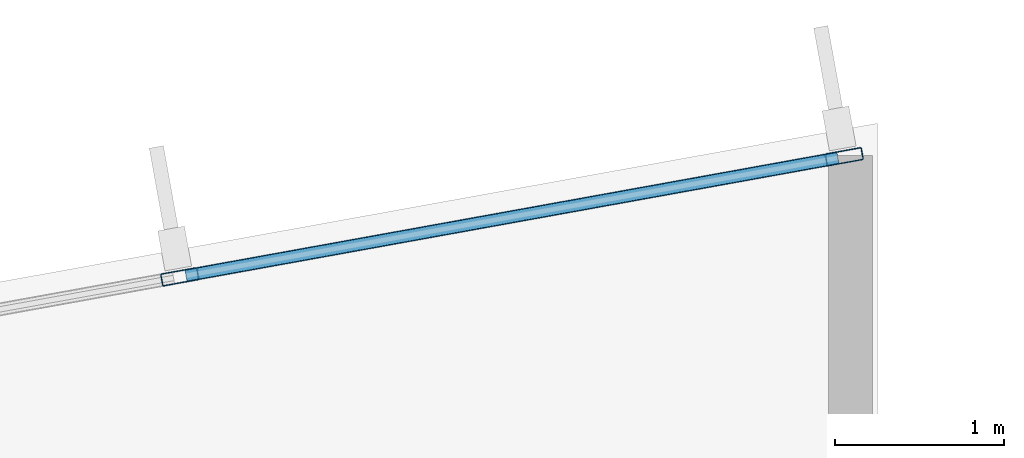
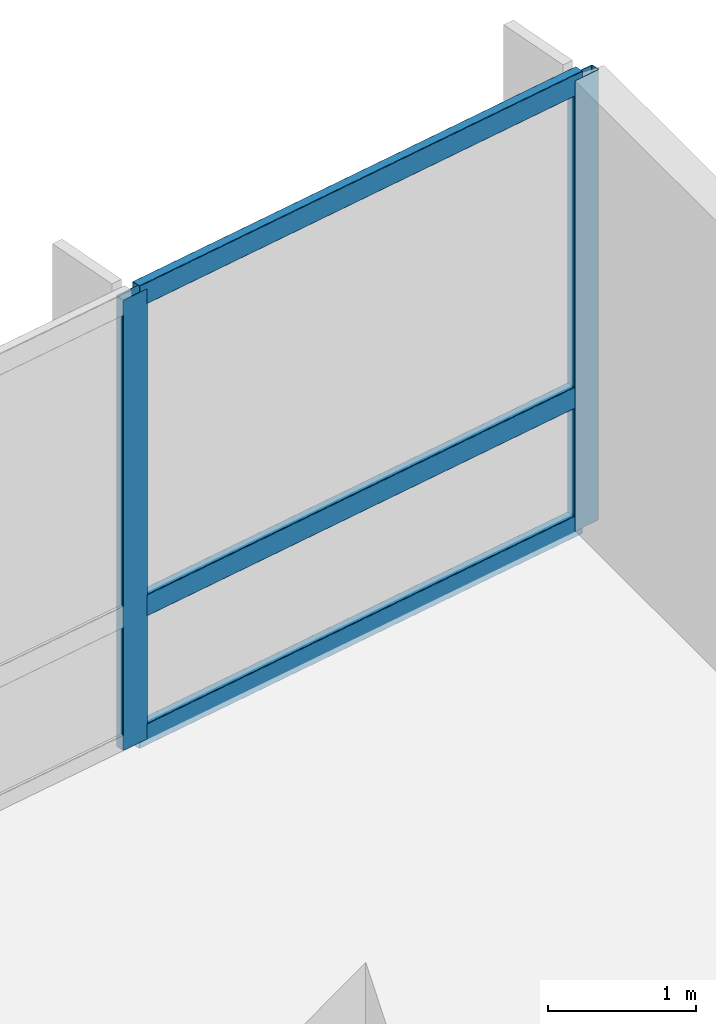
# One storey, part 10 of 21: 5 members, 1 element without a shape of its own.
"""IFC4 building model written with IfcOpenShell, lengths in metres."""

from ifc_helpers import new_model, si_unit, direction, frame, origin, origin_2d, place, context, subcontext, project, spatial, hollow_rectangle, extrude, material, layer, layer_set, material_profile, profile_set, type_object, element, aggregate, save


model = new_model("IFC4")

# Units and contexts
model_context = context("Model", 3, precision=1e-05, world=origin(), true_north=direction((0.0, 1.0)))
body_context = subcontext(model_context, "Body", "Model", "MODEL_VIEW")
ifc_project = project(units=[si_unit("LENGTHUNIT", "METRE"), si_unit("AREAUNIT", "SQUARE_METRE"), si_unit("VOLUMEUNIT", "CUBIC_METRE"), si_unit("PLANEANGLEUNIT", "RADIAN"), si_unit("MASSUNIT", "GRAM", prefix="KILO")], contexts=[model_context])

# Site, building, storey
site_placement = place(None, origin())
site = spatial("IfcSite", under=ifc_project, at=site_placement, CompositionType="ELEMENT")
building_placement = place(site_placement, origin())
building = spatial("IfcBuilding", under=site, at=building_placement, Name="Varnakote Quay Hospital", CompositionType="ELEMENT")
storey_placement = place(building_placement, frame((0.0, 0.0, 42.25)))
storey = spatial("IfcBuildingStorey", under=building, at=storey_placement, Name="L10", CompositionType="ELEMENT", Elevation=42.25)

# Curtain wall, members
ifc_material_1 = material(Name="Anodised aluminium 6063-T6 Bronze", Category="aluminium")
ifc_layer = layer(ifc_material_1, 0.18994140625)
ifc_layer_set = layer_set([ifc_layer], Name="Anodised aluminium 6063-T6 Bronze")
curtain_wall_type = type_object("IfcCurtainWallType", Name="CW-SYS-2", PredefinedType="NOTDEFINED", material=ifc_layer_set)
curtain_wall_placement = place(storey_placement, origin())
curtain_wall = element("IfcCurtainWall", 1, at=curtain_wall_placement, inside=storey, type_object=curtain_wall_type, Name="L10 Unitised Bronze Curtain Wall 2", PredefinedType="NOTDEFINED")
ifc_material_2 = material(Name="Anodised aluminium 6063-T6 Bronze", Category="aluminium")
ifc_material_profile_1 = material_profile(ifc_material_2, hollow_rectangle(XDim=0.074951171875, YDim=0.219970703125, WallThickness=0.00439453125, InnerFilletRadius=0.00439453125, OuterFilletRadius=0.009033203125, at=origin_2d()), Name="CW-MULL-220x75")
ifc_profile_set_1 = profile_set([ifc_material_profile_1], Name="Anodised aluminium 6063-T6 Bronze")
member_type_1 = type_object("IfcMemberType", Name="CW-MULL-220x75", PredefinedType="MULLION", material=ifc_profile_set_1)
member_1_placement = place(storey_placement, frame((55.403076171875, 34.201904296875, 0.0), z_axis=(0.0, 0.0, 1.0), x_axis=(0.177846199098, -0.984058295766, 0.0)))
member_1 = element("IfcMember", 2, at=member_1_placement, type_object=member_type_1, Name="-2-L10-2 mullion 1", PredefinedType="MULLION", context=body_context, shape_type="SweptSolid", body=[
    extrude(hollow_rectangle(XDim=0.074951171875, YDim=0.219970703125, WallThickness=0.00439453125, InnerFilletRadius=0.00439453125, OuterFilletRadius=0.009033203125, at=origin_2d()), origin(), (0.0, 0.0, 1.0), 3.7099609375),
])
member_2_placement = place(storey_placement, frame((51.477294921875, 33.492431640625, 0.0), z_axis=(0.0, 0.0, 1.0), x_axis=(0.177846199098, -0.984058295766, 0.0)))
member_2 = element("IfcMember", 3, at=member_2_placement, type_object=member_type_1, Name="-2-L10-2 mullion 2", PredefinedType="MULLION", context=body_context, shape_type="SweptSolid", body=[
    extrude(hollow_rectangle(XDim=0.074951171875, YDim=0.219970703125, WallThickness=0.00439453125, InnerFilletRadius=0.00439453125, OuterFilletRadius=0.009033203125, at=origin_2d()), origin(), (0.0, 0.0, 1.0), 3.7099609375),
])
ifc_material_3 = material(Name="Anodised aluminium 6063-T6 Bronze", Category="aluminium")
ifc_material_profile_2 = material_profile(ifc_material_3, hollow_rectangle(XDim=0.074951171875, YDim=0.179931640625, WallThickness=0.004150390625, InnerFilletRadius=0.004150390625, OuterFilletRadius=0.00830078125, at=origin_2d()), Name="CW-TRAN-180x75")
ifc_profile_set_2 = profile_set([ifc_material_profile_2], Name="Anodised aluminium 6063-T6 Bronze")
member_type_2 = type_object("IfcMemberType", Name="CW-TRAN-180x75", PredefinedType="USERDEFINED", material=ifc_profile_set_2)
member_3_placement = place(storey_placement, frame((55.3662109375, 34.195068359375, 0.03759765625), z_axis=(-0.984061948229, -0.177825988109, 0.0), x_axis=(0.177825988109, -0.984061948229, 0.0)))
member_3 = element("IfcMember", 4, at=member_3_placement, type_object=member_type_2, Name="-2-L10-2 transom 1.1", ObjectType="TRANSOM", PredefinedType="USERDEFINED", context=body_context, shape_type="SweptSolid", body=[
    extrude(hollow_rectangle(XDim=0.074951171875, YDim=0.179931640625, WallThickness=0.004150390625, InnerFilletRadius=0.004150390625, OuterFilletRadius=0.00830078125, at=origin_2d()), origin(), (0.0, 0.0, 1.0), 3.914306640625),
])
member_4_placement = place(storey_placement, frame((55.3662109375, 34.195068359375, 1.10009765625), z_axis=(-0.984061948229, -0.177825988109, 0.0), x_axis=(0.177825988109, -0.984061948229, 0.0)))
member_4 = element("IfcMember", 5, at=member_4_placement, type_object=member_type_2, Name="-2-L10-2 transom 1.2", ObjectType="TRANSOM", PredefinedType="USERDEFINED", context=body_context, shape_type="SweptSolid", body=[
    extrude(hollow_rectangle(XDim=0.074951171875, YDim=0.179931640625, WallThickness=0.004150390625, InnerFilletRadius=0.004150390625, OuterFilletRadius=0.00830078125, at=origin_2d()), origin(), (0.0, 0.0, 1.0), 3.914306640625),
])
member_5_placement = place(storey_placement, frame((55.3662109375, 34.195068359375, 3.672607421875), z_axis=(-0.984061948229, -0.177825988109, 0.0), x_axis=(0.177825988109, -0.984061948229, 0.0)))
member_5 = element("IfcMember", 6, at=member_5_placement, type_object=member_type_2, Name="-2-L10-2 transom 1.3", ObjectType="TRANSOM", PredefinedType="USERDEFINED", context=body_context, shape_type="SweptSolid", body=[
    extrude(hollow_rectangle(XDim=0.074951171875, YDim=0.179931640625, WallThickness=0.004150390625, InnerFilletRadius=0.004150390625, OuterFilletRadius=0.00830078125, at=origin_2d()), origin(), (0.0, 0.0, 1.0), 3.914306640625),
])
aggregate(curtain_wall, [member_1, member_2, member_3, member_4, member_5])

save(model, "model.ifc")
